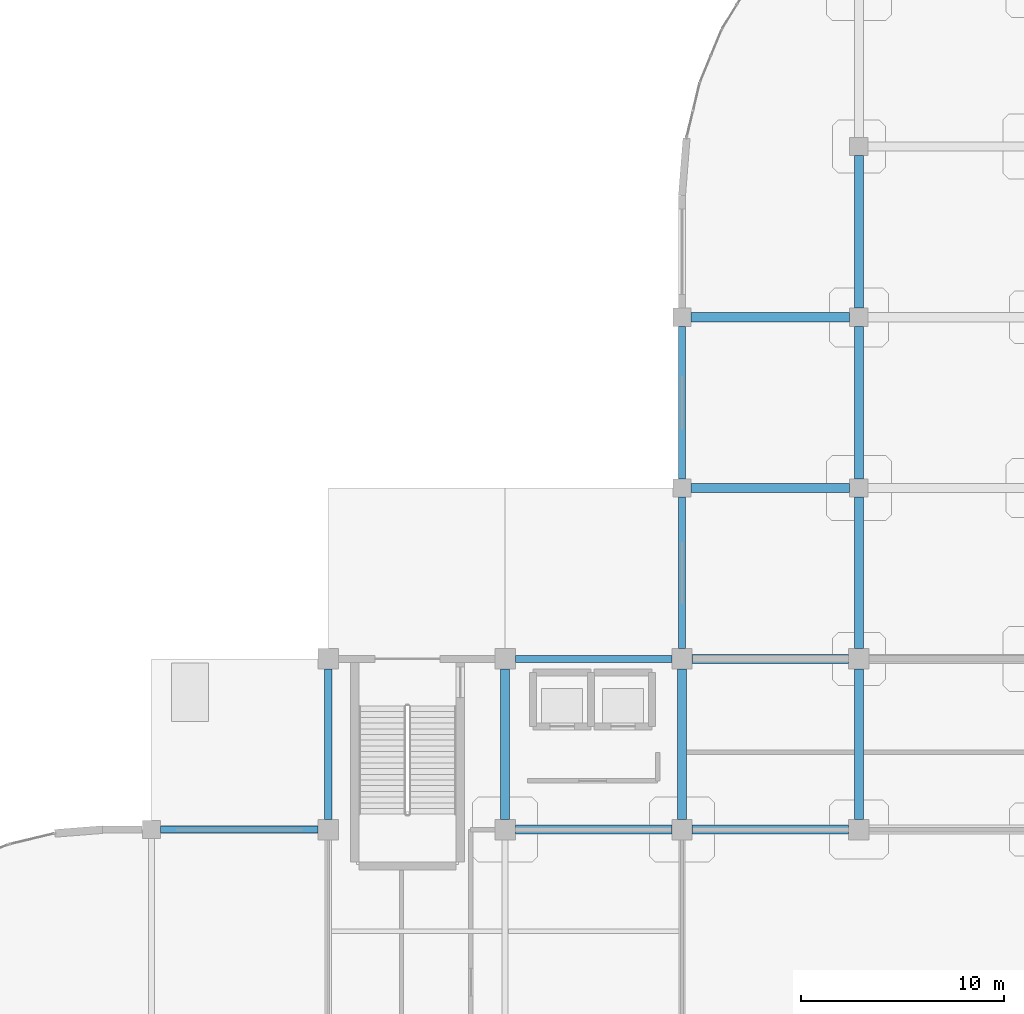
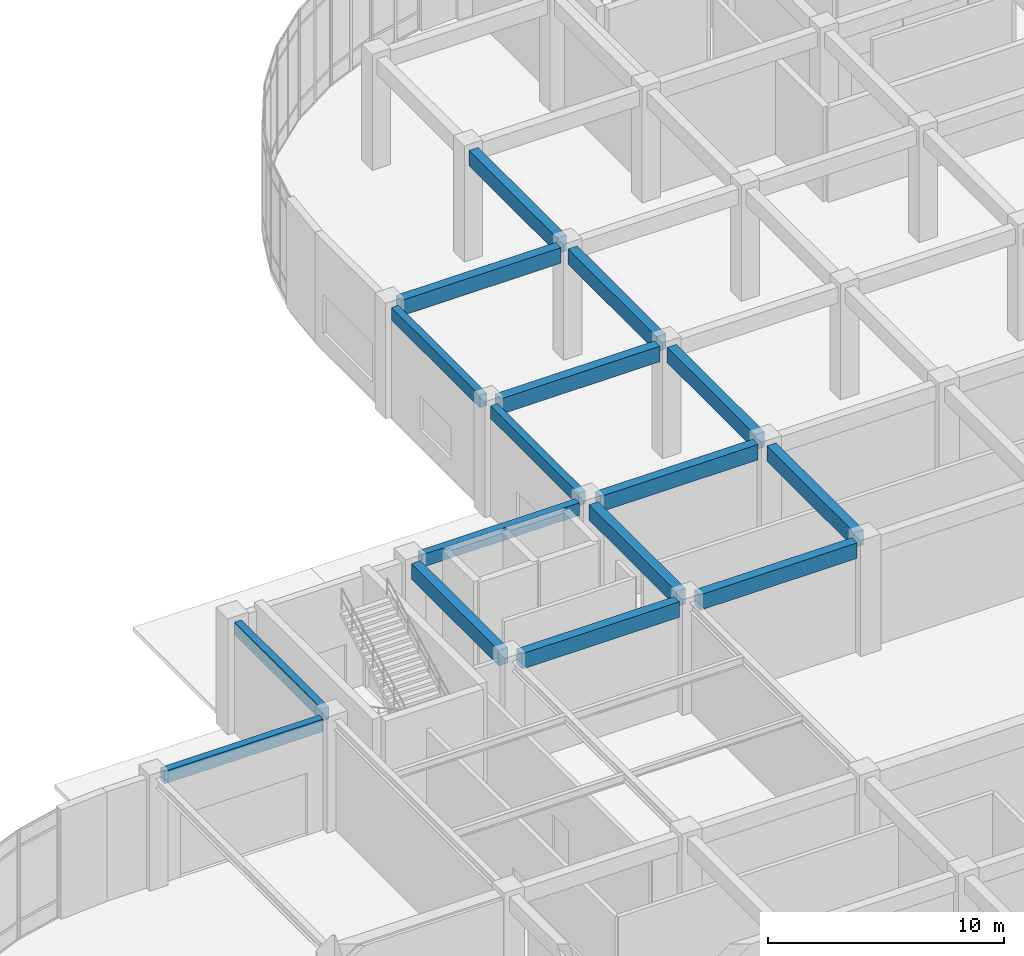
# One storey, part 19 of 82: 16 beams.
"""IFC4 building model written with IfcOpenShell, lengths in metres."""

from ifc_helpers import new_model, si_unit, derived_unit, direction, frame, origin, origin_2d, place, context, subcontext, project, spatial, rectangle, extrude, material, material_profile, profile_set, type_object, element, save


model = new_model("IFC4")

# Units and contexts
model_context = context("Model", 3, precision=1e-05, world=origin(), true_north=direction((0.0, 1.0)))
body_context = subcontext(model_context, "Body", "Model", "MODEL_VIEW")
ifc_project = project(units=[si_unit("LENGTHUNIT", "METRE"), si_unit("AREAUNIT", "SQUARE_METRE"), si_unit("VOLUMEUNIT", "CUBIC_METRE"), si_unit("PLANEANGLEUNIT", "RADIAN"), si_unit("MASSUNIT", "GRAM", prefix="KILO"), derived_unit("THERMALTRANSMITTANCEUNIT", [(si_unit("MASSUNIT", "GRAM", prefix="KILO"), 1), (si_unit("TIMEUNIT", "SECOND"), -3), (si_unit("THERMODYNAMICTEMPERATUREUNIT", "KELVIN"), -1)])], contexts=[model_context])

# Site, building, storey
site_placement = place(None, origin())
site = spatial("IfcSite", under=ifc_project, at=site_placement, CompositionType="ELEMENT")
building_placement = place(site_placement, origin())
building = spatial("IfcBuilding", under=site, at=building_placement, Name="Qinzheling Arcade Emporium", CompositionType="ELEMENT")
storey_placement = place(building_placement, origin())
storey = spatial("IfcBuildingStorey", under=building, at=storey_placement, Name="L01", CompositionType="ELEMENT", Elevation=0.0)

# Beams
ifc_material = material(Name="Concrete C40", Category="concrete")
ifc_material_profile_1 = material_profile(ifc_material, rectangle(XDim=0.449951171875, YDim=0.800048828125, at=origin_2d()), Name="RC 450x800", Category="concrete")
ifc_profile_set_1 = profile_set([ifc_material_profile_1], Name="Concrete C40")
beam_type_1 = type_object("IfcBeamType", Name="RC Primary Frame Beam 450x800 C40", PredefinedType="BEAM", material=ifc_profile_set_1)
for number, where, z_axis, x_axis, name in (
    (1, (44.0, 65.39990234375, 5.320068359375), (1.0, 0.0, 0.0), (0.0, 1.0, 0.0), "Beam BM-L01-X-H-6"),
    (2, (52.699951171875, 65.39990234375, 5.320068359375), (1.0, 0.0, 0.0), (0.0, 1.0, 0.0), "Beam BM-L01-X-H-7"),
    (3, (52.699951171875, 73.800048828125, 5.320068359375), (1.0, 0.0, 0.0), (0.0, 1.0, 0.0), "Beam BM-L01-X-J-7"),
):
    element("IfcBeam", number, at=place(storey_placement, frame(where, z_axis=z_axis, x_axis=x_axis)), inside=storey, type_object=beam_type_1, Name=name, PredefinedType="BEAM", context=body_context, shape_type="SweptSolid", body=[
        extrude(rectangle(XDim=0.449951171875, YDim=0.800048828125, at=origin_2d()), origin(), (0.0, 0.0, 1.0), 7.699951171875),
    ])
for number, where, z_axis, x_axis, name in (
    (4, (52.64990234375, 82.199951171875, 5.2900390625), (1.0, 0.0, 0.0), (0.0, 1.0, 0.0), "Beam BM-L01-X-K-7"),
    (5, (52.64990234375, 90.60009765625, 5.2900390625), (1.0, 0.0, 0.0), (0.0, 1.0, 0.0), "Beam BM-L01-X-L-7"),
):
    element("IfcBeam", number, at=place(storey_placement, frame(where, z_axis=z_axis, x_axis=x_axis)), inside=storey, type_object=beam_type_1, Name=name, PredefinedType="BEAM", context=body_context, shape_type="SweptSolid", body=[
        extrude(rectangle(XDim=0.449951171875, YDim=0.800048828125, at=origin_2d()), origin(), (0.0, 0.0, 1.0), 7.800048828125),
    ])
for number, where, z_axis, x_axis, name in (
    (6, (43.5, 65.89990234375, 5.320068359375), (0.0, 1.0, 0.0), (-1.0, 0.0, 0.0), "Beam BM-L01-Y-6-H"),
    (7, (52.199951171875, 65.89990234375, 5.320068359375), (0.0, 1.0, 0.0), (-1.0, 0.0, 0.0), "Beam BM-L01-Y-7-H"),
    (8, (60.89990234375, 65.89990234375, 5.320068359375), (0.0, 1.0, 0.0), (-1.0, 0.0, 0.0), "Beam BM-L01-Y-8-H"),
):
    element("IfcBeam", number, at=place(storey_placement, frame(where, z_axis=z_axis, x_axis=x_axis)), inside=storey, type_object=beam_type_1, Name=name, PredefinedType="BEAM", context=body_context, shape_type="SweptSolid", body=[
        extrude(rectangle(XDim=0.449951171875, YDim=0.800048828125, at=origin_2d()), origin(), (0.0, 0.0, 1.0), 7.400146484375),
    ])
beam_1_placement = place(storey_placement, frame((60.89990234375, 74.300048828125, 5.2900390625), z_axis=(0.0, 1.0, 0.0), x_axis=(-1.0, 0.0, 0.0)))
element("IfcBeam", 9, at=beam_1_placement, inside=storey, type_object=beam_type_1, Name="Beam BM-L01-Y-8-J", PredefinedType="BEAM", context=body_context, shape_type="SweptSolid", body=[
    extrude(rectangle(XDim=0.449951171875, YDim=0.800048828125, at=origin_2d()), origin(), (0.0, 0.0, 1.0), 7.449951171875),
])
for number, where, z_axis, x_axis, name in (
    (10, (60.89990234375, 82.64990234375, 5.2900390625), (0.0, 1.0, 0.0), (-1.0, 0.0, 0.0), "Beam BM-L01-Y-8-K"),
    (11, (60.89990234375, 91.050048828125, 5.2900390625), (0.0, 1.0, 0.0), (-1.0, 0.0, 0.0), "Beam BM-L01-Y-8-L"),
):
    element("IfcBeam", number, at=place(storey_placement, frame(where, z_axis=z_axis, x_axis=x_axis)), inside=storey, type_object=beam_type_1, Name=name, PredefinedType="BEAM", context=body_context, shape_type="SweptSolid", body=[
        extrude(rectangle(XDim=0.449951171875, YDim=0.800048828125, at=origin_2d()), origin(), (0.0, 0.0, 1.0), 7.5),
    ])
ifc_material_profile_2 = material_profile(ifc_material, rectangle(XDim=0.35009765625, YDim=0.64990234375, at=origin_2d()), Name="RC 350x650", Category="concrete")
ifc_profile_set_2 = profile_set([ifc_material_profile_2], Name="Concrete C40")
beam_type_2 = type_object("IfcBeamType", Name="RC Spandrel Edge Beam 350x650 C40", PredefinedType="SPANDREL", material=ifc_profile_set_2)
beam_2_placement = place(storey_placement, frame((26.550048828125, 65.39990234375, 5.39501953125), z_axis=(1.0, 0.0, 0.0), x_axis=(0.0, 1.0, 0.0)))
element("IfcBeam", 12, at=beam_2_placement, inside=storey, type_object=beam_type_2, Name="Beam BM-L01-X-H-4", PredefinedType="SPANDREL", context=body_context, shape_type="SweptSolid", body=[
    extrude(rectangle(XDim=0.35009765625, YDim=0.64990234375, at=origin_2d()), origin(), (0.0, 0.0, 1.0), 7.75),
])
beam_3_placement = place(storey_placement, frame((44.0, 73.800048828125, 5.39501953125), z_axis=(1.0, 0.0, 0.0), x_axis=(0.0, 1.0, 0.0)))
element("IfcBeam", 13, at=beam_3_placement, inside=storey, type_object=beam_type_2, Name="Beam BM-L01-X-J-6", PredefinedType="SPANDREL", context=body_context, shape_type="SweptSolid", body=[
    extrude(rectangle(XDim=0.35009765625, YDim=0.64990234375, at=origin_2d()), origin(), (0.0, 0.0, 1.0), 7.699951171875),
])
beam_4_placement = place(storey_placement, frame((34.800048828125, 65.89990234375, 5.39501953125), z_axis=(0.0, 1.0, 0.0), x_axis=(-1.0, 0.0, 0.0)))
element("IfcBeam", 14, at=beam_4_placement, inside=storey, type_object=beam_type_2, Name="Beam BM-L01-Y-5-H", PredefinedType="SPANDREL", context=body_context, shape_type="SweptSolid", body=[
    extrude(rectangle(XDim=0.35009765625, YDim=0.64990234375, at=origin_2d()), origin(), (0.0, 0.0, 1.0), 7.400146484375),
])
beam_5_placement = place(storey_placement, frame((52.199951171875, 74.300048828125, 5.364990234375), z_axis=(0.0, 1.0, 0.0), x_axis=(-1.0, 0.0, 0.0)))
element("IfcBeam", 15, at=beam_5_placement, inside=storey, type_object=beam_type_2, Name="Beam BM-L01-Y-7-J", PredefinedType="SPANDREL", context=body_context, shape_type="SweptSolid", body=[
    extrude(rectangle(XDim=0.35009765625, YDim=0.64990234375, at=origin_2d()), origin(), (0.0, 0.0, 1.0), 7.449951171875),
])
beam_6_placement = place(storey_placement, frame((52.199951171875, 82.64990234375, 5.364990234375), z_axis=(0.0, 1.0, 0.0), x_axis=(-1.0, 0.0, 0.0)))
element("IfcBeam", 16, at=beam_6_placement, inside=storey, type_object=beam_type_2, Name="Beam BM-L01-Y-7-K", PredefinedType="SPANDREL", context=body_context, shape_type="SweptSolid", body=[
    extrude(rectangle(XDim=0.35009765625, YDim=0.64990234375, at=origin_2d()), origin(), (0.0, 0.0, 1.0), 7.5),
])

save(model, "model.ifc")
